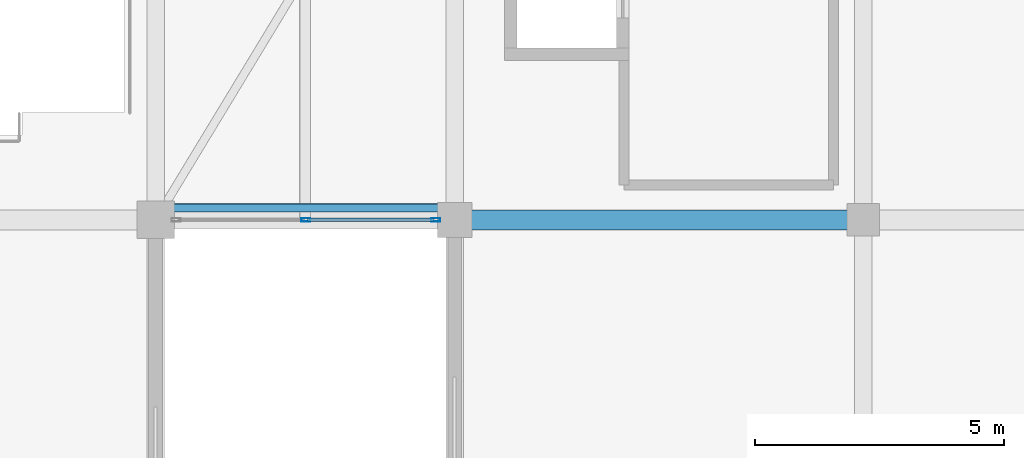
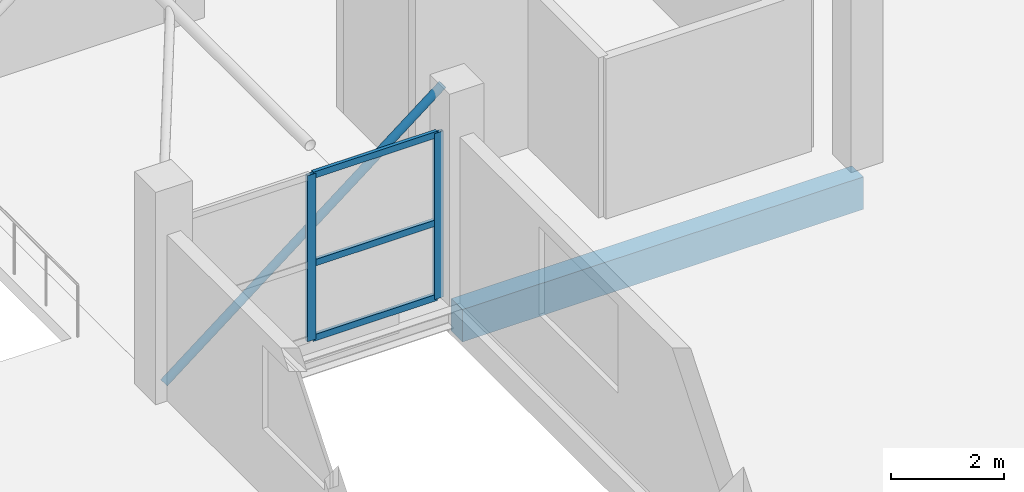
# One storey, part 16 of 69: 6 members, 1 beam, 1 element without a shape of its own.
"""IFC4 building model written with IfcOpenShell, lengths in metres."""

from ifc_helpers import new_model, si_unit, direction, frame, origin, origin_2d, place, context, subcontext, project, spatial, rectangle, hollow_rectangle, hollow_circle, extrude, material, layer, layer_set, material_profile, profile_set, type_object, element, aggregate, save


model = new_model("IFC4")

# Units and contexts
model_context = context("Model", 3, precision=1e-05, world=origin(), true_north=direction((0.0, 1.0)))
body_context = subcontext(model_context, "Body", "Model", "MODEL_VIEW")
ifc_project = project(units=[si_unit("LENGTHUNIT", "METRE"), si_unit("AREAUNIT", "SQUARE_METRE"), si_unit("VOLUMEUNIT", "CUBIC_METRE"), si_unit("PLANEANGLEUNIT", "RADIAN"), si_unit("MASSUNIT", "GRAM", prefix="KILO")], contexts=[model_context])

# Site, building, storey
site_placement = place(None, origin())
site = spatial("IfcSite", under=ifc_project, at=site_placement, CompositionType="ELEMENT")
building_placement = place(site_placement, origin())
building = spatial("IfcBuilding", under=site, at=building_placement, Name="Sillaruma Civic Art Gallery", CompositionType="ELEMENT")
storey_placement = place(building_placement, frame((0.0, 0.0, 42.330078125)))
storey = spatial("IfcBuildingStorey", under=building, at=storey_placement, Name="L08", CompositionType="ELEMENT", Elevation=42.330078125)

# Beam
ifc_material_1 = material(Name="Concrete H35 (35 MPa)", Category="concrete")
ifc_material_profile_1 = material_profile(ifc_material_1, rectangle(XDim=0.39990234375, YDim=0.699951171875, at=origin_2d()), Name="RCB400x700")
ifc_profile_set_1 = profile_set([ifc_material_profile_1], Name="Concrete H35 (35 MPa)")
beam_type = type_object("IfcBeamType", Name="BM-BEAM-RCB400x700", PredefinedType="BEAM", material=ifc_profile_set_1)
beam_placement = place(storey_placement, frame((98.0, 39.60009765625, -0.630126953125), z_axis=(1.0, 0.0, 0.0), x_axis=(0.0, 1.0, 0.0)))
element("IfcBeam", 1, at=beam_placement, inside=storey, type_object=beam_type, Name="Beam BM-04 (L07:5:L-M)", PredefinedType="BEAM", context=body_context, shape_type="SweptSolid", body=[
    extrude(rectangle(XDim=0.39990234375, YDim=0.699951171875, at=origin_2d()), origin(), (0.0, 0.0, 1.0), 8.199951171875),
])

# Member
ifc_material_2 = material(Name="Structural Steel ASTM A500 Gr.C", Category="steel")
ifc_material_profile_2 = material_profile(ifc_material_2, hollow_circle(Radius=0.084228515625, WallThickness=0.007080078125, at=origin_2d()), Name="CHS168.3x7.1")
ifc_profile_set_2 = profile_set([ifc_material_profile_2], Name="Structural Steel ASTM A500 Gr.C")
member_type_1 = type_object("IfcMemberType", Name="MEM-BRIDGE-BRACE", PredefinedType="BRACE", material=ifc_profile_set_2)
member_1_placement = place(storey_placement, frame((92.14990234375, 39.840087890625, -0.080078125), z_axis=(0.787576177128, 0.0, 0.616217303571), x_axis=(0.0, 1.0, 0.0)))
element("IfcMember", 2, at=member_1_placement, inside=storey, type_object=member_type_1, Name="Sky-Bridge Elevation Truss Web Brace (BRG-S:L08:S)", PredefinedType="BRACE", context=body_context, shape_type="SweptSolid", body=[
    extrude(hollow_circle(Radius=0.084228515625, WallThickness=0.007080078125, at=origin_2d()), origin(), (0.0, 0.0, 1.0), 7.237548828125),
])

# Curtain wall, members
ifc_material_3 = material(Name="Thermally Broken Extruded Aluminium 6063-T6", Category="aluminium")
ifc_layer = layer(ifc_material_3, 0.179931640625, Name="Thermally Broken Extruded Aluminium 6063-T6")
ifc_layer_set = layer_set([ifc_layer], Name="Thermally Broken Extruded Aluminium 6063-T6")
curtain_wall_type = type_object("IfcCurtainWallType", Name="CW-UNI-60", PredefinedType="NOTDEFINED", material=ifc_layer_set)
curtain_wall_placement = place(storey_placement, origin())
curtain_wall = element("IfcCurtainWall", 3, at=curtain_wall_placement, inside=storey, type_object=curtain_wall_type, Name="Unitised Curtain Wall CW-60 (CW-BRG-S-L08-S)", PredefinedType="NOTDEFINED")
ifc_material_profile_3 = material_profile(ifc_material_3, hollow_rectangle(XDim=0.070068359375, YDim=0.179931640625, WallThickness=0.00390625, at=origin_2d()), Name="CWM70x180")
ifc_profile_set_3 = profile_set([ifc_material_profile_3], Name="Thermally Broken Extruded Aluminium 6063-T6")
member_type_2 = type_object("IfcMemberType", Name="MEM-MUL-CWM70x180", PredefinedType="MULLION", material=ifc_profile_set_3)
member_2_placement = place(storey_placement, frame((95.012451171875, 39.60009765625, 0.0), z_axis=(0.0, 0.0, 1.0), x_axis=(0.0, 1.0, 0.0)))
member_2 = element("IfcMember", 4, at=member_2_placement, type_object=member_type_2, Name="CW-60 mullion 2", PredefinedType="MULLION", context=body_context, shape_type="SweptSolid", body=[
    extrude(hollow_rectangle(XDim=0.070068359375, YDim=0.179931640625, WallThickness=0.00390625, at=origin_2d()), origin(), (0.0, 0.0, 1.0), 3.58984375),
])
member_3_placement = place(storey_placement, frame((97.614990234375, 39.60009765625, 0.0), z_axis=(0.0, 0.0, 1.0), x_axis=(0.0, 1.0, 0.0)))
member_3 = element("IfcMember", 5, at=member_3_placement, type_object=member_type_2, Name="CW-60 mullion 3", PredefinedType="MULLION", context=body_context, shape_type="SweptSolid", body=[
    extrude(hollow_rectangle(XDim=0.070068359375, YDim=0.179931640625, WallThickness=0.00390625, at=origin_2d()), origin(), (0.0, 0.0, 1.0), 3.58984375),
])
ifc_material_profile_4 = material_profile(ifc_material_3, hollow_rectangle(XDim=0.070068359375, YDim=0.139892578125, WallThickness=0.00390625, at=origin_2d()), Name="CWT70x140")
ifc_profile_set_4 = profile_set([ifc_material_profile_4], Name="Thermally Broken Extruded Aluminium 6063-T6")
member_type_3 = type_object("IfcMemberType", Name="MEM-TRN-CWT70x140", PredefinedType="USERDEFINED", material=ifc_profile_set_4)
member_4_placement = place(storey_placement, frame((95.047607421875, 39.60009765625, 0.034912109375), z_axis=(1.0, 0.0, 0.0), x_axis=(0.0, 1.0, 0.0)))
member_4 = element("IfcMember", 6, at=member_4_placement, type_object=member_type_3, Name="CW-60 transom 2.1", ObjectType="TRANSOM", PredefinedType="USERDEFINED", context=body_context, shape_type="SweptSolid", body=[
    extrude(hollow_rectangle(XDim=0.070068359375, YDim=0.139892578125, WallThickness=0.00390625, at=origin_2d()), origin(), (0.0, 0.0, 1.0), 2.532470703125),
])
member_5_placement = place(storey_placement, frame((95.047607421875, 39.60009765625, 1.6513671875), z_axis=(1.0, 0.0, 0.0), x_axis=(0.0, 1.0, 0.0)))
member_5 = element("IfcMember", 7, at=member_5_placement, type_object=member_type_3, Name="CW-60 transom 2.2", ObjectType="TRANSOM", PredefinedType="USERDEFINED", context=body_context, shape_type="SweptSolid", body=[
    extrude(hollow_rectangle(XDim=0.070068359375, YDim=0.139892578125, WallThickness=0.00390625, at=origin_2d()), origin(), (0.0, 0.0, 1.0), 2.532470703125),
])
member_6_placement = place(storey_placement, frame((95.047607421875, 39.60009765625, 3.554931640625), z_axis=(1.0, 0.0, 0.0), x_axis=(0.0, 1.0, 0.0)))
member_6 = element("IfcMember", 8, at=member_6_placement, type_object=member_type_3, Name="CW-60 transom 2.3", ObjectType="TRANSOM", PredefinedType="USERDEFINED", context=body_context, shape_type="SweptSolid", body=[
    extrude(hollow_rectangle(XDim=0.070068359375, YDim=0.139892578125, WallThickness=0.00390625, at=origin_2d()), origin(), (0.0, 0.0, 1.0), 2.532470703125),
])
aggregate(curtain_wall, [member_2, member_3, member_4, member_5, member_6])

save(model, "model.ifc")
